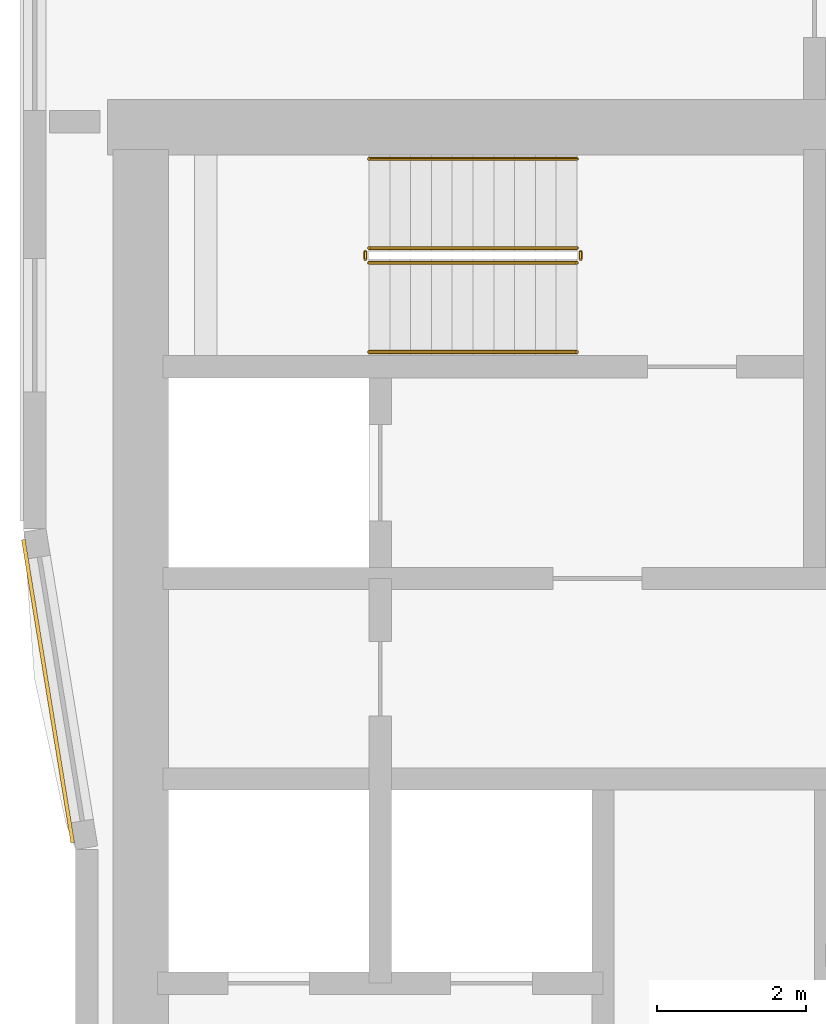
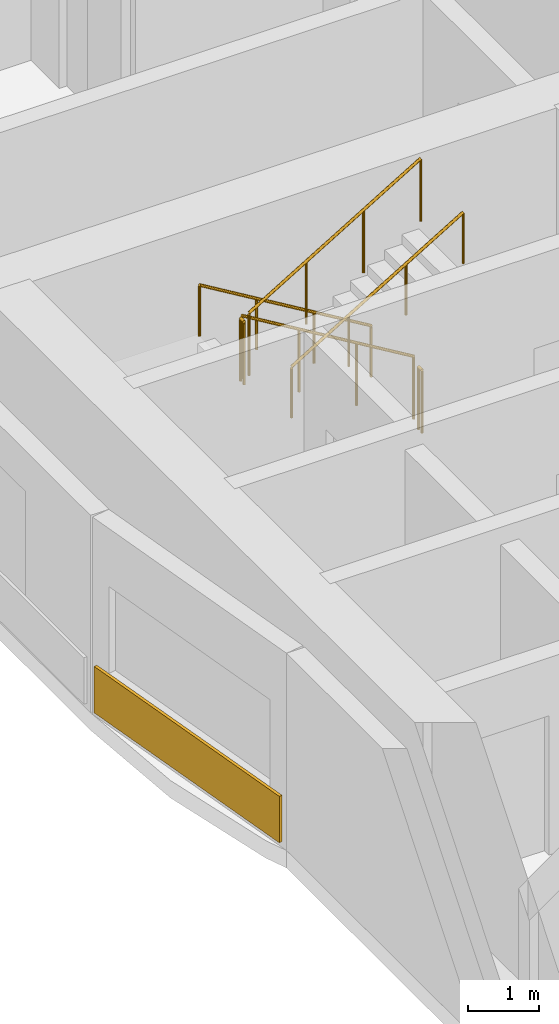
# One storey, part 15 of 21: 6 railings, 1 covering.
"""IFC4 building model written with IfcOpenShell, lengths in metres."""

from ifc_helpers import new_model, si_unit, direction, frame, origin, origin_2d, place, context, subcontext, project, spatial, rectangle, circle, extrude, material, layer, layer_set, type_object, element, save


model = new_model("IFC4")

# Units and contexts
model_context = context("Model", 3, precision=1e-05, world=origin(), true_north=direction((0.0, 1.0)))
body_context = subcontext(model_context, "Body", "Model", "MODEL_VIEW")
ifc_project = project(units=[si_unit("LENGTHUNIT", "METRE"), si_unit("AREAUNIT", "SQUARE_METRE"), si_unit("VOLUMEUNIT", "CUBIC_METRE"), si_unit("PLANEANGLEUNIT", "RADIAN"), si_unit("MASSUNIT", "GRAM", prefix="KILO")], contexts=[model_context])

# Site, building, storey
site_placement = place(None, origin())
site = spatial("IfcSite", under=ifc_project, at=site_placement, CompositionType="ELEMENT")
building_placement = place(site_placement, origin())
building = spatial("IfcBuilding", under=site, at=building_placement, Name="Ogive Portal Towers", CompositionType="ELEMENT")
storey_placement = place(building_placement, frame((0.0, 0.0, 109.300048828125)))
storey = spatial("IfcBuildingStorey", under=building, at=storey_placement, Name="L26", CompositionType="ELEMENT", Elevation=109.300048828125)

# Railings
ifc_material_1 = material(Name="Stainless steel balustrade", Category="steel")
railing_type_1 = type_object("IfcRailingType", Name="INT-GUARD", PredefinedType="GUARDRAIL", material=ifc_material_1)
railing_1_placement = place(storey_placement, frame((37.449951171875, 37.800048828125, 0.168212890625)))
element("IfcRailing", 1, at=railing_1_placement, inside=storey, type_object=railing_type_1, Name="L26 ST-A1 stair guard 1", PredefinedType="GUARDRAIL", context=body_context, shape_type="SweptSolid", body=[
    extrude(circle(Radius=0.02392578125, at=origin_2d()), frame((0.0, 0.0, 1.076171875), z_axis=(-0.857275202839, 0.0, 0.514858452973), x_axis=(0.0, -1.0, 0.0)), (0.0, 0.0, 1.0), 3.26611328125),
    extrude(circle(Radius=0.02099609375, at=origin_2d()), origin(), (0.0, 0.0, 1.0), 1.052001953125),
    extrude(circle(Radius=0.02099609375, at=origin_2d()), frame((-0.933349609375, 0.0, 0.560546875)), (0.0, 0.0, 1.0), 1.052001953125),
    extrude(circle(Radius=0.02099609375, at=origin_2d()), frame((-1.86669921875, 0.0, 1.12109375)), (0.0, 0.0, 1.0), 1.052001953125),
    extrude(circle(Radius=0.02099609375, at=origin_2d()), frame((-2.800048828125, 0.0, 1.681640625)), (0.0, 0.0, 1.0), 1.052001953125),
])
railing_2_placement = place(storey_placement, frame((34.60009765625, 37.75, 1.849853515625)))
element("IfcRailing", 2, at=railing_2_placement, inside=storey, type_object=railing_type_1, Name="L26 ST-A1 stair guard 2", PredefinedType="GUARDRAIL", context=body_context, shape_type="SweptSolid", body=[
    extrude(circle(Radius=0.02392578125, at=origin_2d()), frame((0.0, 0.0, 1.076171875), z_axis=(0.0, -1.0, 0.0), x_axis=(1.0, 0.0, 0.0)), (0.0, 0.0, 1.0), 0.10009765625),
    extrude(circle(Radius=0.02099609375, at=origin_2d()), origin(), (0.0, 0.0, 1.0), 1.052001953125),
    extrude(circle(Radius=0.02099609375, at=origin_2d()), frame((0.0, -0.10009765625, 0.0)), (0.0, 0.0, 1.0), 1.052001953125),
])
railing_3_placement = place(storey_placement, frame((34.64990234375, 37.60009765625, 2.01806640625)))
element("IfcRailing", 3, at=railing_3_placement, inside=storey, type_object=railing_type_1, Name="L26 ST-A1 stair guard 3", PredefinedType="GUARDRAIL", context=body_context, shape_type="SweptSolid", body=[
    extrude(circle(Radius=0.02392578125, at=origin_2d()), frame((0.0, 0.0, 1.076171875), z_axis=(0.857242210791, 0.0, 0.514913383045), x_axis=(0.0, 1.0, 0.0)), (0.0, 0.0, 1.0), 3.266357421875),
    extrude(circle(Radius=0.02099609375, at=origin_2d()), origin(), (0.0, 0.0, 1.0), 1.052001953125),
    extrude(circle(Radius=0.02099609375, at=origin_2d()), frame((0.933349609375, 0.0, 0.560546875)), (0.0, 0.0, 1.0), 1.052001953125),
    extrude(circle(Radius=0.02099609375, at=origin_2d()), frame((1.86669921875, 0.0, 1.121337890625)), (0.0, 0.0, 1.0), 1.052001953125),
    extrude(circle(Radius=0.02099609375, at=origin_2d()), frame((2.800048828125, 0.0, 1.681884765625)), (0.0, 0.0, 1.0), 1.052001953125),
])
railing_4_placement = place(storey_placement, frame((37.5, 37.75, 0.0)))
element("IfcRailing", 4, at=railing_4_placement, inside=storey, type_object=railing_type_1, Name="L26 ST-A1 stair guard 4", PredefinedType="GUARDRAIL", context=body_context, shape_type="SweptSolid", body=[
    extrude(circle(Radius=0.02392578125, at=origin_2d()), frame((0.0, 0.0, 1.076171875), z_axis=(0.0, -1.0, 0.0), x_axis=(1.0, 0.0, 0.0)), (0.0, 0.0, 1.0), 0.10009765625),
    extrude(circle(Radius=0.02099609375, at=origin_2d()), origin(), (0.0, 0.0, 1.0), 1.052001953125),
    extrude(circle(Radius=0.02099609375, at=origin_2d()), frame((0.0, -0.10009765625, 0.0)), (0.0, 0.0, 1.0), 1.052001953125),
])
ifc_material_2 = material(Name="Stainless steel handrail", Category="steel")
railing_type_2 = type_object("IfcRailingType", Name="INT-HANDRAIL", PredefinedType="HANDRAIL", material=ifc_material_2)
railing_5_placement = place(storey_placement, frame((37.449951171875, 39.0, 0.168212890625)))
element("IfcRailing", 5, at=railing_5_placement, inside=storey, type_object=railing_type_2, Name="L26 ST-A1 stair handrail 1", PredefinedType="HANDRAIL", context=body_context, shape_type="SweptSolid", body=[
    extrude(circle(Radius=0.02392578125, at=origin_2d()), frame((0.0, 0.0, 0.8759765625), z_axis=(-0.857275202839, 0.0, 0.514858452973), x_axis=(0.0, -1.0, 0.0)), (0.0, 0.0, 1.0), 3.26611328125),
    extrude(circle(Radius=0.02099609375, at=origin_2d()), origin(), (0.0, 0.0, 1.0), 0.851806640625),
    extrude(circle(Radius=0.02099609375, at=origin_2d()), frame((-0.933349609375, 0.0, 0.560546875)), (0.0, 0.0, 1.0), 0.851806640625),
    extrude(circle(Radius=0.02099609375, at=origin_2d()), frame((-1.86669921875, 0.0, 1.12109375)), (0.0, 0.0, 1.0), 0.851806640625),
    extrude(circle(Radius=0.02099609375, at=origin_2d()), frame((-2.800048828125, 0.0, 1.681640625)), (0.0, 0.0, 1.0), 0.851806640625),
])
railing_6_placement = place(storey_placement, frame((34.64990234375, 36.39990234375, 2.01806640625)))
element("IfcRailing", 6, at=railing_6_placement, inside=storey, type_object=railing_type_2, Name="L26 ST-A1 stair handrail 2", PredefinedType="HANDRAIL", context=body_context, shape_type="SweptSolid", body=[
    extrude(circle(Radius=0.02392578125, at=origin_2d()), frame((0.0, 0.0, 0.8759765625), z_axis=(0.857242210791, 0.0, 0.514913383045), x_axis=(0.0, 1.0, 0.0)), (0.0, 0.0, 1.0), 3.266357421875),
    extrude(circle(Radius=0.02099609375, at=origin_2d()), origin(), (0.0, 0.0, 1.0), 0.851806640625),
    extrude(circle(Radius=0.02099609375, at=origin_2d()), frame((0.933349609375, 0.0, 0.560546875)), (0.0, 0.0, 1.0), 0.851806640625),
    extrude(circle(Radius=0.02099609375, at=origin_2d()), frame((1.86669921875, 0.0, 1.121337890625)), (0.0, 0.0, 1.0), 0.851806640625),
    extrude(circle(Radius=0.02099609375, at=origin_2d()), frame((2.800048828125, 0.0, 1.681884765625)), (0.0, 0.0, 1.0), 0.851806640625),
])

# Covering
ifc_material_3 = material(Name="Limestone cladding on lightweight block wall", Category="masonry")
ifc_layer = layer(ifc_material_3, 0.050048828125)
ifc_layer_set = layer_set([ifc_layer], Name="SCREEN PERFORATED STONE")
covering_type = type_object("IfcCoveringType", Name="SCREEN PERFORATED STONE", PredefinedType="CLADDING", material=ifc_layer_set)
covering_placement = place(storey_placement, frame((30.327392578125, 31.833740234375, 0.10009765625), z_axis=(0.0, 0.0, 1.0), x_axis=(0.160654533408, -0.987010699484, 0.0)))
element("IfcCovering", 7, at=covering_placement, inside=storey, type_object=covering_type, Name="Tracery screen", PredefinedType="CLADDING", context=body_context, shape_type="SweptSolid", body=[
    extrude(rectangle(XDim=4.1328125, YDim=0.050048828125, at=origin_2d()), origin(), (0.0, 0.0, 1.0), 0.800048828125),
])

save(model, "model.ifc")
